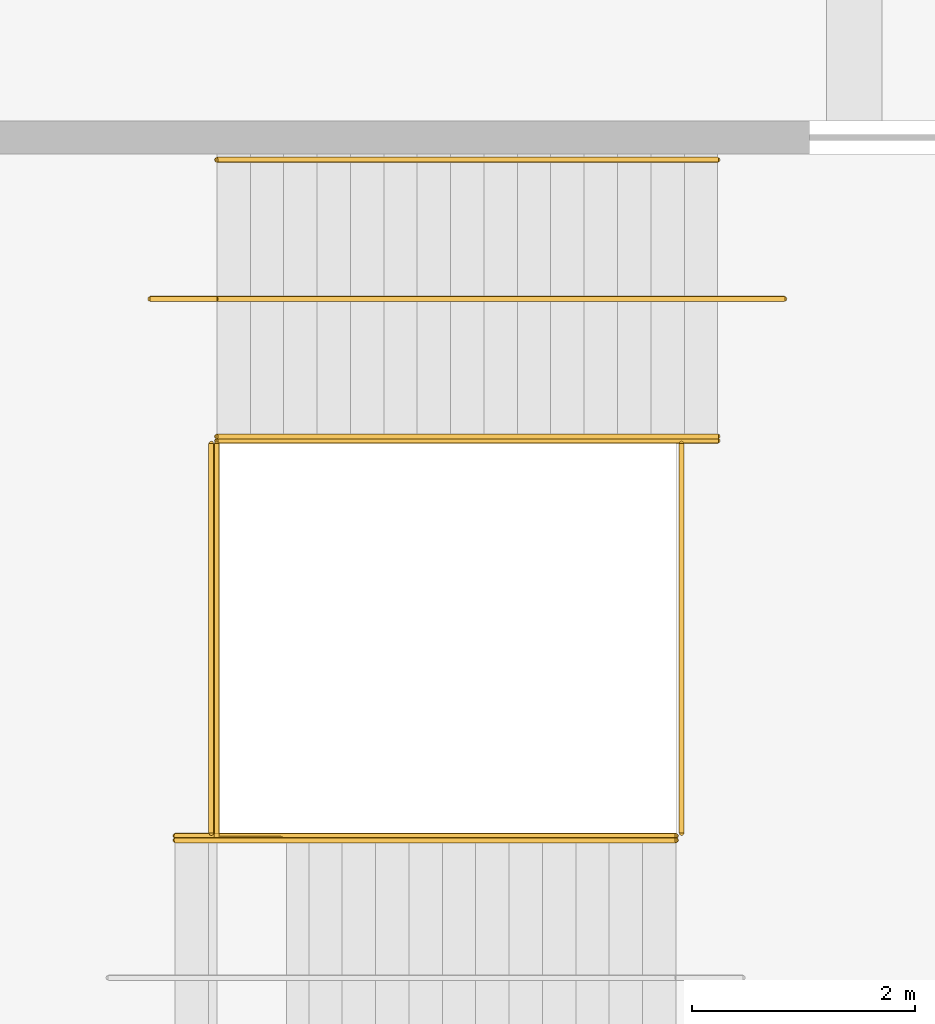
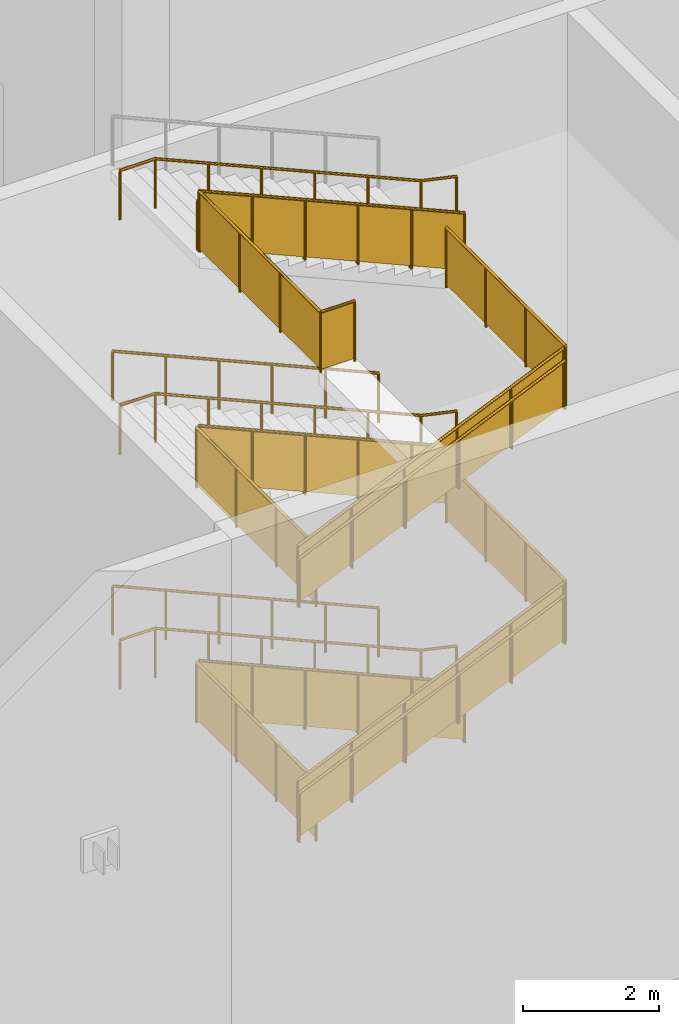
# One storey, part 158 of 182: 20 railings.
"""IFC4 building model written with IfcOpenShell, lengths in metres."""

from ifc_helpers import new_model, si_unit, direction, frame, origin, origin_2d, place, context, subcontext, project, spatial, polyline, circle, outline, extrude, material, type_object, element, save


model = new_model("IFC4")

# Units and contexts
model_context = context("Model", 3, precision=1e-05, world=origin(), true_north=direction((0.0, 1.0)))
body_context = subcontext(model_context, "Body", "Model", "MODEL_VIEW")
ifc_project = project(units=[si_unit("LENGTHUNIT", "METRE"), si_unit("AREAUNIT", "SQUARE_METRE"), si_unit("VOLUMEUNIT", "CUBIC_METRE"), si_unit("PLANEANGLEUNIT", "RADIAN"), si_unit("MASSUNIT", "GRAM", prefix="KILO")], contexts=[model_context])

# Site, building, storey
site_placement = place(None, origin())
site = spatial("IfcSite", under=ifc_project, at=site_placement, CompositionType="ELEMENT")
building_placement = place(site_placement, origin())
building = spatial("IfcBuilding", under=site, at=building_placement, Name="Silverbay Arena", CompositionType="ELEMENT")
storey_placement = place(building_placement, frame((0.0, 0.0, 11.5)))
storey = spatial("IfcBuildingStorey", under=building, at=storey_placement, Name="L02", CompositionType="ELEMENT", Elevation=11.5)

# Railings
ifc_material_1 = material(Name="Stainless steel", Category="steel")
railing_type_1 = type_object("IfcRailingType", Name="Stair guard 1100", PredefinedType="GUARDRAIL", material=ifc_material_1)
railing_1_placement = place(storey_placement, frame((196.774169921875, 24.125, 0.13134765625)))
element("IfcRailing", 1, at=railing_1_placement, inside=storey, type_object=railing_type_1, Name="Stair ST-S6 L02 to L03 flight 1 guard right", PredefinedType="GUARDRAIL", context=body_context, shape_type="SweptSolid", body=[
    extrude(circle(Radius=0.02392578125, at=origin_2d()), frame((0.0, 0.0, 1.076171875), z_axis=(-0.916157334902, 0.0, 0.40081883402), x_axis=(0.0, -1.0, 0.0)), (0.0, 0.0, 1.0), 4.911865234375),
    extrude(outline(polyline([(-0.008056640625, 0.04638671875), (0.907958984375, 0.447265625), (0.907958984375, 1.4501953125), (-0.008056640625, 1.049560546875), (-0.008056640625, 0.04638671875)])), frame((0.0, -0.0029296875, 0.0), z_axis=(0.0, 1.0, 0.0), x_axis=(-1.0, 0.0, 0.0)), (0.0, 0.0, 1.0), 0.006103515625),
    extrude(outline(polyline([(-0.008056640625, 0.440185546875), (0.907958984375, 0.841064453125), (0.907958984375, 1.843994140625), (-0.008056640625, 1.443359375), (-0.008056640625, 0.440185546875)])), frame((-0.89990234375, -0.0029296875, 0.0), z_axis=(0.0, 1.0, 0.0), x_axis=(-1.0, 0.0, 0.0)), (0.0, 0.0, 1.0), 0.006103515625),
    extrude(outline(polyline([(-0.008056640625, 0.833984375), (0.907958984375, 1.23486328125), (0.907958984375, 2.23779296875), (-0.008056640625, 1.8369140625), (-0.008056640625, 0.833984375)])), frame((-1.800048828125, -0.0029296875, 0.0), z_axis=(0.0, 1.0, 0.0), x_axis=(-1.0, 0.0, 0.0)), (0.0, 0.0, 1.0), 0.006103515625),
    extrude(outline(polyline([(-0.008056640625, 1.227783203125), (0.907958984375, 1.62841796875), (0.907958984375, 2.631591796875), (-0.008056640625, 2.230712890625), (-0.008056640625, 1.227783203125)])), frame((-2.699951171875, -0.0029296875, 0.0), z_axis=(0.0, 1.0, 0.0), x_axis=(-1.0, 0.0, 0.0)), (0.0, 0.0, 1.0), 0.006103515625),
    extrude(outline(polyline([(-0.008056640625, 1.62158203125), (0.907958984375, 2.022216796875), (0.907958984375, 3.025146484375), (-0.008056640625, 2.62451171875), (-0.008056640625, 1.62158203125)])), frame((-3.60009765625, -0.0029296875, 0.0), z_axis=(0.0, 1.0, 0.0), x_axis=(-1.0, 0.0, 0.0)), (0.0, 0.0, 1.0), 0.006103515625),
    extrude(circle(Radius=0.02099609375, at=origin_2d()), origin(), (0.0, 0.0, 1.0), 1.052001953125),
    extrude(circle(Radius=0.02099609375, at=origin_2d()), frame((-0.89990234375, 0.0, 0.393798828125)), (0.0, 0.0, 1.0), 1.052001953125),
    extrude(circle(Radius=0.02099609375, at=origin_2d()), frame((-1.800048828125, 0.0, 0.78759765625)), (0.0, 0.0, 1.0), 1.052001953125),
    extrude(circle(Radius=0.02099609375, at=origin_2d()), frame((-2.699951171875, 0.0, 1.18115234375)), (0.0, 0.0, 1.0), 1.052001953125),
    extrude(circle(Radius=0.02099609375, at=origin_2d()), frame((-3.60009765625, 0.0, 1.574951171875)), (0.0, 0.0, 1.0), 1.052001953125),
    extrude(circle(Radius=0.02099609375, at=origin_2d()), frame((-4.5, 0.0, 1.96875)), (0.0, 0.0, 1.0), 1.052001953125),
])
railing_2_placement = place(storey_placement, frame((191.89990234375, 20.574951171875, 2.231201171875)))
element("IfcRailing", 2, at=railing_2_placement, inside=storey, type_object=railing_type_1, Name="Stair ST-S6 L02 to L03 flight 2 guard left", PredefinedType="GUARDRAIL", context=body_context, shape_type="SweptSolid", body=[
    extrude(circle(Radius=0.02392578125, at=origin_2d()), frame((0.0, 0.0, 1.076171875), z_axis=(0.916157334902, 0.0, 0.40081883402), x_axis=(0.0, 1.0, 0.0)), (0.0, 0.0, 1.0), 4.911865234375),
    extrude(outline(polyline([(-0.008056640625, 0.04638671875), (0.907958984375, 0.447265625), (0.907958984375, 1.4501953125), (-0.008056640625, 1.049560546875), (-0.008056640625, 0.04638671875)])), frame((0.0, 0.0029296875, 0.0), z_axis=(0.0, -1.0, 0.0), x_axis=(1.0, 0.0, 0.0)), (0.0, 0.0, 1.0), 0.006103515625),
    extrude(outline(polyline([(-0.008056640625, 0.440185546875), (0.907958984375, 0.841064453125), (0.907958984375, 1.843994140625), (-0.008056640625, 1.443359375), (-0.008056640625, 0.440185546875)])), frame((0.89990234375, 0.0029296875, 0.0), z_axis=(0.0, -1.0, 0.0), x_axis=(1.0, 0.0, 0.0)), (0.0, 0.0, 1.0), 0.006103515625),
    extrude(outline(polyline([(-0.008056640625, 0.833984375), (0.907958984375, 1.23486328125), (0.907958984375, 2.23779296875), (-0.008056640625, 1.8369140625), (-0.008056640625, 0.833984375)])), frame((1.800048828125, 0.0029296875, 0.0), z_axis=(0.0, -1.0, 0.0), x_axis=(1.0, 0.0, 0.0)), (0.0, 0.0, 1.0), 0.006103515625),
    extrude(outline(polyline([(-0.008056640625, 1.227783203125), (0.907958984375, 1.62841796875), (0.907958984375, 2.631591796875), (-0.008056640625, 2.230712890625), (-0.008056640625, 1.227783203125)])), frame((2.699951171875, 0.0029296875, 0.0), z_axis=(0.0, -1.0, 0.0), x_axis=(1.0, 0.0, 0.0)), (0.0, 0.0, 1.0), 0.006103515625),
    extrude(outline(polyline([(-0.008056640625, 1.62158203125), (0.907958984375, 2.022216796875), (0.907958984375, 3.025146484375), (-0.008056640625, 2.62451171875), (-0.008056640625, 1.62158203125)])), frame((3.60009765625, 0.0029296875, 0.0), z_axis=(0.0, -1.0, 0.0), x_axis=(1.0, 0.0, 0.0)), (0.0, 0.0, 1.0), 0.006103515625),
    extrude(circle(Radius=0.02099609375, at=origin_2d()), origin(), (0.0, 0.0, 1.0), 1.052001953125),
    extrude(circle(Radius=0.02099609375, at=origin_2d()), frame((0.89990234375, 0.0, 0.393798828125)), (0.0, 0.0, 1.0), 1.052001953125),
    extrude(circle(Radius=0.02099609375, at=origin_2d()), frame((1.800048828125, 0.0, 0.78759765625)), (0.0, 0.0, 1.0), 1.052001953125),
    extrude(circle(Radius=0.02099609375, at=origin_2d()), frame((2.699951171875, 0.0, 1.18115234375)), (0.0, 0.0, 1.0), 1.052001953125),
    extrude(circle(Radius=0.02099609375, at=origin_2d()), frame((3.60009765625, 0.0, 1.574951171875)), (0.0, 0.0, 1.0), 1.052001953125),
    extrude(circle(Radius=0.02099609375, at=origin_2d()), frame((4.5, 0.0, 1.96875)), (0.0, 0.0, 1.0), 1.052001953125),
])
railing_3_placement = place(storey_placement, frame((196.774169921875, 24.125, 4.331298828125)))
element("IfcRailing", 3, at=railing_3_placement, inside=storey, type_object=railing_type_1, Name="Stair ST-S6 L02 to L03 flight 3 guard right", PredefinedType="GUARDRAIL", context=body_context, shape_type="SweptSolid", body=[
    extrude(circle(Radius=0.02392578125, at=origin_2d()), frame((0.0, 0.0, 1.076171875), z_axis=(-0.916157334902, 0.0, 0.40081883402), x_axis=(0.0, -1.0, 0.0)), (0.0, 0.0, 1.0), 4.911865234375),
    extrude(outline(polyline([(-0.008056640625, 0.04638671875), (0.907958984375, 0.447265625), (0.907958984375, 1.4501953125), (-0.008056640625, 1.049560546875), (-0.008056640625, 0.04638671875)])), frame((0.0, -0.0029296875, 0.0), z_axis=(0.0, 1.0, 0.0), x_axis=(-1.0, 0.0, 0.0)), (0.0, 0.0, 1.0), 0.006103515625),
    extrude(outline(polyline([(-0.008056640625, 0.440185546875), (0.907958984375, 0.841064453125), (0.907958984375, 1.843994140625), (-0.008056640625, 1.443359375), (-0.008056640625, 0.440185546875)])), frame((-0.89990234375, -0.0029296875, 0.0), z_axis=(0.0, 1.0, 0.0), x_axis=(-1.0, 0.0, 0.0)), (0.0, 0.0, 1.0), 0.006103515625),
    extrude(outline(polyline([(-0.008056640625, 0.833984375), (0.907958984375, 1.23486328125), (0.907958984375, 2.23779296875), (-0.008056640625, 1.8369140625), (-0.008056640625, 0.833984375)])), frame((-1.800048828125, -0.0029296875, 0.0), z_axis=(0.0, 1.0, 0.0), x_axis=(-1.0, 0.0, 0.0)), (0.0, 0.0, 1.0), 0.006103515625),
    extrude(outline(polyline([(-0.008056640625, 1.227783203125), (0.907958984375, 1.62841796875), (0.907958984375, 2.631591796875), (-0.008056640625, 2.230712890625), (-0.008056640625, 1.227783203125)])), frame((-2.699951171875, -0.0029296875, 0.0), z_axis=(0.0, 1.0, 0.0), x_axis=(-1.0, 0.0, 0.0)), (0.0, 0.0, 1.0), 0.006103515625),
    extrude(outline(polyline([(-0.008056640625, 1.62158203125), (0.907958984375, 2.022216796875), (0.907958984375, 3.025146484375), (-0.008056640625, 2.62451171875), (-0.008056640625, 1.62158203125)])), frame((-3.60009765625, -0.0029296875, 0.0), z_axis=(0.0, 1.0, 0.0), x_axis=(-1.0, 0.0, 0.0)), (0.0, 0.0, 1.0), 0.006103515625),
    extrude(circle(Radius=0.02099609375, at=origin_2d()), origin(), (0.0, 0.0, 1.0), 1.052001953125),
    extrude(circle(Radius=0.02099609375, at=origin_2d()), frame((-0.89990234375, 0.0, 0.393798828125)), (0.0, 0.0, 1.0), 1.052001953125),
    extrude(circle(Radius=0.02099609375, at=origin_2d()), frame((-1.800048828125, 0.0, 0.78759765625)), (0.0, 0.0, 1.0), 1.052001953125),
    extrude(circle(Radius=0.02099609375, at=origin_2d()), frame((-2.699951171875, 0.0, 1.18115234375)), (0.0, 0.0, 1.0), 1.052001953125),
    extrude(circle(Radius=0.02099609375, at=origin_2d()), frame((-3.60009765625, 0.0, 1.574951171875)), (0.0, 0.0, 1.0), 1.052001953125),
    extrude(circle(Radius=0.02099609375, at=origin_2d()), frame((-4.5, 0.0, 1.96875)), (0.0, 0.0, 1.0), 1.052001953125),
])
railing_4_placement = place(storey_placement, frame((191.89990234375, 20.574951171875, 6.43115234375)))
element("IfcRailing", 4, at=railing_4_placement, inside=storey, type_object=railing_type_1, Name="Stair ST-S6 L02 to L03 flight 4 guard left", PredefinedType="GUARDRAIL", context=body_context, shape_type="SweptSolid", body=[
    extrude(circle(Radius=0.02392578125, at=origin_2d()), frame((0.0, 0.0, 1.076171875), z_axis=(0.916157334902, 0.0, 0.40081883402), x_axis=(0.0, 1.0, 0.0)), (0.0, 0.0, 1.0), 4.911865234375),
    extrude(outline(polyline([(-0.008056640625, 0.04638671875), (0.907958984375, 0.447265625), (0.907958984375, 1.4501953125), (-0.008056640625, 1.049560546875), (-0.008056640625, 0.04638671875)])), frame((0.0, 0.0029296875, 0.0), z_axis=(0.0, -1.0, 0.0), x_axis=(1.0, 0.0, 0.0)), (0.0, 0.0, 1.0), 0.006103515625),
    extrude(outline(polyline([(-0.008056640625, 0.440185546875), (0.907958984375, 0.841064453125), (0.907958984375, 1.843994140625), (-0.008056640625, 1.443359375), (-0.008056640625, 0.440185546875)])), frame((0.89990234375, 0.0029296875, 0.0), z_axis=(0.0, -1.0, 0.0), x_axis=(1.0, 0.0, 0.0)), (0.0, 0.0, 1.0), 0.006103515625),
    extrude(outline(polyline([(-0.008056640625, 0.833984375), (0.907958984375, 1.23486328125), (0.907958984375, 2.23779296875), (-0.008056640625, 1.8369140625), (-0.008056640625, 0.833984375)])), frame((1.800048828125, 0.0029296875, 0.0), z_axis=(0.0, -1.0, 0.0), x_axis=(1.0, 0.0, 0.0)), (0.0, 0.0, 1.0), 0.006103515625),
    extrude(outline(polyline([(-0.008056640625, 1.227783203125), (0.907958984375, 1.62841796875), (0.907958984375, 2.631591796875), (-0.008056640625, 2.230712890625), (-0.008056640625, 1.227783203125)])), frame((2.699951171875, 0.0029296875, 0.0), z_axis=(0.0, -1.0, 0.0), x_axis=(1.0, 0.0, 0.0)), (0.0, 0.0, 1.0), 0.006103515625),
    extrude(outline(polyline([(-0.008056640625, 1.62158203125), (0.907958984375, 2.022216796875), (0.907958984375, 3.025146484375), (-0.008056640625, 2.62451171875), (-0.008056640625, 1.62158203125)])), frame((3.60009765625, 0.0029296875, 0.0), z_axis=(0.0, -1.0, 0.0), x_axis=(1.0, 0.0, 0.0)), (0.0, 0.0, 1.0), 0.006103515625),
    extrude(circle(Radius=0.02099609375, at=origin_2d()), origin(), (0.0, 0.0, 1.0), 1.052001953125),
    extrude(circle(Radius=0.02099609375, at=origin_2d()), frame((0.89990234375, 0.0, 0.393798828125)), (0.0, 0.0, 1.0), 1.052001953125),
    extrude(circle(Radius=0.02099609375, at=origin_2d()), frame((1.800048828125, 0.0, 0.78759765625)), (0.0, 0.0, 1.0), 1.052001953125),
    extrude(circle(Radius=0.02099609375, at=origin_2d()), frame((2.699951171875, 0.0, 1.18115234375)), (0.0, 0.0, 1.0), 1.052001953125),
    extrude(circle(Radius=0.02099609375, at=origin_2d()), frame((3.60009765625, 0.0, 1.574951171875)), (0.0, 0.0, 1.0), 1.052001953125),
    extrude(circle(Radius=0.02099609375, at=origin_2d()), frame((4.5, 0.0, 1.96875)), (0.0, 0.0, 1.0), 1.052001953125),
])
railing_5_placement = place(storey_placement, frame((196.774169921875, 24.125, 8.53125)))
element("IfcRailing", 5, at=railing_5_placement, inside=storey, type_object=railing_type_1, Name="Stair ST-S6 L02 to L03 flight 5 guard right", PredefinedType="GUARDRAIL", context=body_context, shape_type="SweptSolid", body=[
    extrude(circle(Radius=0.02392578125, at=origin_2d()), frame((0.0, 0.0, 1.076171875), z_axis=(-0.916157334902, 0.0, 0.40081883402), x_axis=(0.0, -1.0, 0.0)), (0.0, 0.0, 1.0), 4.911865234375),
    extrude(outline(polyline([(-0.008056640625, 0.04638671875), (0.907958984375, 0.447265625), (0.907958984375, 1.4501953125), (-0.008056640625, 1.049560546875), (-0.008056640625, 0.04638671875)])), frame((0.0, -0.0029296875, 0.0), z_axis=(0.0, 1.0, 0.0), x_axis=(-1.0, 0.0, 0.0)), (0.0, 0.0, 1.0), 0.006103515625),
    extrude(outline(polyline([(-0.008056640625, 0.440185546875), (0.907958984375, 0.841064453125), (0.907958984375, 1.843994140625), (-0.008056640625, 1.443359375), (-0.008056640625, 0.440185546875)])), frame((-0.89990234375, -0.0029296875, 0.0), z_axis=(0.0, 1.0, 0.0), x_axis=(-1.0, 0.0, 0.0)), (0.0, 0.0, 1.0), 0.006103515625),
    extrude(outline(polyline([(-0.008056640625, 0.833984375), (0.907958984375, 1.23486328125), (0.907958984375, 2.23779296875), (-0.008056640625, 1.8369140625), (-0.008056640625, 0.833984375)])), frame((-1.800048828125, -0.0029296875, 0.0), z_axis=(0.0, 1.0, 0.0), x_axis=(-1.0, 0.0, 0.0)), (0.0, 0.0, 1.0), 0.006103515625),
    extrude(outline(polyline([(-0.008056640625, 1.227783203125), (0.907958984375, 1.62841796875), (0.907958984375, 2.631591796875), (-0.008056640625, 2.230712890625), (-0.008056640625, 1.227783203125)])), frame((-2.699951171875, -0.0029296875, 0.0), z_axis=(0.0, 1.0, 0.0), x_axis=(-1.0, 0.0, 0.0)), (0.0, 0.0, 1.0), 0.006103515625),
    extrude(outline(polyline([(-0.008056640625, 1.62158203125), (0.907958984375, 2.022216796875), (0.907958984375, 3.025146484375), (-0.008056640625, 2.62451171875), (-0.008056640625, 1.62158203125)])), frame((-3.60009765625, -0.0029296875, 0.0), z_axis=(0.0, 1.0, 0.0), x_axis=(-1.0, 0.0, 0.0)), (0.0, 0.0, 1.0), 0.006103515625),
    extrude(circle(Radius=0.02099609375, at=origin_2d()), origin(), (0.0, 0.0, 1.0), 1.052001953125),
    extrude(circle(Radius=0.02099609375, at=origin_2d()), frame((-0.89990234375, 0.0, 0.393798828125)), (0.0, 0.0, 1.0), 1.052001953125),
    extrude(circle(Radius=0.02099609375, at=origin_2d()), frame((-1.800048828125, 0.0, 0.78759765625)), (0.0, 0.0, 1.0), 1.052001953125),
    extrude(circle(Radius=0.02099609375, at=origin_2d()), frame((-2.699951171875, 0.0, 1.18115234375)), (0.0, 0.0, 1.0), 1.052001953125),
    extrude(circle(Radius=0.02099609375, at=origin_2d()), frame((-3.60009765625, 0.0, 1.574951171875)), (0.0, 0.0, 1.0), 1.052001953125),
    extrude(circle(Radius=0.02099609375, at=origin_2d()), frame((-4.5, 0.0, 1.96875)), (0.0, 0.0, 1.0), 1.052001953125),
])
for number, where, name in (
    (6, (192.22412109375, 24.10009765625, 2.10009765625), "Stair ST-S6 L02 to L03 landing 1 guard"),
    (7, (196.449951171875, 24.10009765625, 4.199951171875), "Stair ST-S6 L02 to L03 landing 2 guard"),
    (8, (192.22412109375, 24.10009765625, 6.300048828125), "Stair ST-S6 L02 to L03 landing 3 guard"),
    (9, (196.449951171875, 24.10009765625, 8.39990234375), "Stair ST-S6 L02 to L03 landing 4 guard"),
):
    element("IfcRailing", number, at=place(storey_placement, frame(where)), inside=storey, type_object=railing_type_1, Name=name, PredefinedType="GUARDRAIL", context=body_context, shape_type="SweptSolid", body=[
        extrude(circle(Radius=0.02392578125, at=origin_2d()), frame((0.0, 0.0, 1.076171875), z_axis=(0.0, -1.0, 0.0), x_axis=(1.0, 0.0, 0.0)), (0.0, 0.0, 1.0), 3.5),
        extrude(outline(polyline([(-0.008056640625, 0.050048828125), (1.174560546875, 0.050048828125), (1.174560546875, 1.052978515625), (-0.008056640625, 1.052978515625), (-0.008056640625, 0.050048828125)])), frame((0.0029296875, 0.0, 0.0), z_axis=(-1.0, 0.0, 0.0), x_axis=(0.0, -1.0, 0.0)), (0.0, 0.0, 1.0), 0.006103515625),
        extrude(outline(polyline([(-0.008056640625, 0.050048828125), (1.174560546875, 0.050048828125), (1.174560546875, 1.052978515625), (-0.008056640625, 1.052978515625), (-0.008056640625, 0.050048828125)])), frame((0.0029296875, -1.166748046875, 0.0), z_axis=(-1.0, 0.0, 0.0), x_axis=(0.0, -1.0, 0.0)), (0.0, 0.0, 1.0), 0.006103515625),
        extrude(outline(polyline([(-0.008056640625, 0.050048828125), (1.174560546875, 0.050048828125), (1.174560546875, 1.052978515625), (-0.008056640625, 1.052978515625), (-0.008056640625, 0.050048828125)])), frame((0.0029296875, -2.333251953125, 0.0), z_axis=(-1.0, 0.0, 0.0), x_axis=(0.0, -1.0, 0.0)), (0.0, 0.0, 1.0), 0.006103515625),
        extrude(circle(Radius=0.02099609375, at=origin_2d()), origin(), (0.0, 0.0, 1.0), 1.052001953125),
        extrude(circle(Radius=0.02099609375, at=origin_2d()), frame((0.0, -1.166748046875, 0.0)), (0.0, 0.0, 1.0), 1.052001953125),
        extrude(circle(Radius=0.02099609375, at=origin_2d()), frame((0.0, -2.333251953125, 0.0)), (0.0, 0.0, 1.0), 1.052001953125),
        extrude(circle(Radius=0.02099609375, at=origin_2d()), frame((0.0, -3.5, 0.0)), (0.0, 0.0, 1.0), 1.052001953125),
    ])
railing_6_placement = place(storey_placement, frame((192.85009765625, 20.550048828125, 10.5)))
element("IfcRailing", 10, at=railing_6_placement, inside=storey, type_object=railing_type_1, Name="Stair ST-S6 L02 to L03 landing 5 guard", PredefinedType="GUARDRAIL", context=body_context, shape_type="SweptSolid", body=[
    extrude(circle(Radius=0.02392578125, at=origin_2d()), frame((0.0, 0.0, 1.076171875), z_axis=(-1.0, 0.0, 0.0), x_axis=(0.0, -1.0, 0.0)), (0.0, 0.0, 1.0), 0.575927734375),
    extrude(outline(polyline([(-0.008056640625, 0.050048828125), (0.583984375, 0.050048828125), (0.583984375, 1.052978515625), (-0.008056640625, 1.052978515625), (-0.008056640625, 0.050048828125)])), frame((0.0, -0.0029296875, 0.0), z_axis=(0.0, 1.0, 0.0), x_axis=(-1.0, 0.0, 0.0)), (0.0, 0.0, 1.0), 0.006103515625),
    extrude(circle(Radius=0.02392578125, at=origin_2d()), frame((-0.575927734375, 0.0, 1.076171875), z_axis=(0.0, 1.0, 0.0), x_axis=(-1.0, 0.0, 0.0)), (0.0, 0.0, 1.0), 3.550048828125),
    extrude(outline(polyline([(-0.008056640625, 0.050048828125), (1.19140625, 0.050048828125), (1.19140625, 1.052978515625), (-0.008056640625, 1.052978515625), (-0.008056640625, 0.050048828125)])), frame((-0.578857421875, 0.0, 0.0), z_axis=(1.0, 0.0, 0.0), x_axis=(0.0, 1.0, 0.0)), (0.0, 0.0, 1.0), 0.006103515625),
    extrude(outline(polyline([(-0.008056640625, 0.050048828125), (1.19140625, 0.050048828125), (1.19140625, 1.052978515625), (-0.008056640625, 1.052978515625), (-0.008056640625, 0.050048828125)])), frame((-0.578857421875, 1.183349609375, 0.0), z_axis=(1.0, 0.0, 0.0), x_axis=(0.0, 1.0, 0.0)), (0.0, 0.0, 1.0), 0.006103515625),
    extrude(outline(polyline([(-0.008056640625, 0.050048828125), (1.19140625, 0.050048828125), (1.19140625, 1.052978515625), (-0.008056640625, 1.052978515625), (-0.008056640625, 0.050048828125)])), frame((-0.578857421875, 2.36669921875, 0.0), z_axis=(1.0, 0.0, 0.0), x_axis=(0.0, 1.0, 0.0)), (0.0, 0.0, 1.0), 0.006103515625),
    extrude(circle(Radius=0.02099609375, at=origin_2d()), origin(), (0.0, 0.0, 1.0), 1.052001953125),
    extrude(circle(Radius=0.02099609375, at=origin_2d()), frame((-0.575927734375, 0.0, 0.0)), (0.0, 0.0, 1.0), 1.052001953125),
    extrude(circle(Radius=0.02099609375, at=origin_2d()), frame((-0.575927734375, 1.183349609375, 0.0)), (0.0, 0.0, 1.0), 1.052001953125),
    extrude(circle(Radius=0.02099609375, at=origin_2d()), frame((-0.575927734375, 2.36669921875, 0.0)), (0.0, 0.0, 1.0), 1.052001953125),
    extrude(circle(Radius=0.02099609375, at=origin_2d()), frame((-0.575927734375, 3.550048828125, 0.0)), (0.0, 0.0, 1.0), 1.052001953125),
])
ifc_material_2 = material(Name="Stainless steel", Category="steel")
railing_type_2 = type_object("IfcRailingType", Name="Stair handrail 900", PredefinedType="HANDRAIL", material=ifc_material_2)
for number, where, name in (
    (11, (196.774169921875, 26.64990234375, 0.13134765625), "Stair ST-S6 L02 to L03 flight 1 handrail left"),
    (12, (196.774169921875, 24.1640625, 0.13134765625), "Stair ST-S6 L02 to L03 flight 1 handrail right"),
):
    element("IfcRailing", number, at=place(storey_placement, frame(where)), inside=storey, type_object=railing_type_2, Name=name, PredefinedType="HANDRAIL", context=body_context, shape_type="SweptSolid", body=[
        extrude(circle(Radius=0.02392578125, at=origin_2d()), frame((0.0, 0.0, 0.8759765625), z_axis=(-0.916157334902, 0.0, 0.40081883402), x_axis=(0.0, -1.0, 0.0)), (0.0, 0.0, 1.0), 4.911865234375),
        extrude(circle(Radius=0.02099609375, at=origin_2d()), origin(), (0.0, 0.0, 1.0), 0.851806640625),
        extrude(circle(Radius=0.02099609375, at=origin_2d()), frame((-0.89990234375, 0.0, 0.393798828125)), (0.0, 0.0, 1.0), 0.851806640625),
        extrude(circle(Radius=0.02099609375, at=origin_2d()), frame((-1.800048828125, 0.0, 0.78759765625)), (0.0, 0.0, 1.0), 0.851806640625),
        extrude(circle(Radius=0.02099609375, at=origin_2d()), frame((-2.699951171875, 0.0, 1.18115234375)), (0.0, 0.0, 1.0), 0.851806640625),
        extrude(circle(Radius=0.02099609375, at=origin_2d()), frame((-3.60009765625, 0.0, 1.574951171875)), (0.0, 0.0, 1.0), 0.851806640625),
        extrude(circle(Radius=0.02099609375, at=origin_2d()), frame((-4.5, 0.0, 1.96875)), (0.0, 0.0, 1.0), 0.851806640625),
    ])
railing_7_placement = place(storey_placement, frame((197.374267578125, 25.39990234375, 0.0)))
element("IfcRailing", 13, at=railing_7_placement, inside=storey, type_object=railing_type_2, Name="Stair ST-S6 L02 to L03 flight 1 central handrail", PredefinedType="HANDRAIL", context=body_context, shape_type="SweptSolid", body=[
    extrude(circle(Radius=0.02392578125, at=origin_2d()), frame((0.0, 0.0, 0.8759765625), z_axis=(-0.976874083041, 0.0, 0.213815401414), x_axis=(0.0, -1.0, 0.0)), (0.0, 0.0, 1.0), 0.6142578125),
    extrude(circle(Radius=0.02392578125, at=origin_2d()), frame((-0.60009765625, 0.0, 1.00732421875), z_axis=(-0.916157334902, 0.0, 0.40081883402), x_axis=(0.0, -1.0, 0.0)), (0.0, 0.0, 1.0), 4.911865234375),
    extrude(circle(Radius=0.02392578125, at=origin_2d()), frame((-5.10009765625, 0.0, 2.97607421875), z_axis=(-1.0, 0.0, 0.0), x_axis=(0.0, -1.0, 0.0)), (0.0, 0.0, 1.0), 0.599853515625),
    extrude(circle(Radius=0.02099609375, at=origin_2d()), origin(), (0.0, 0.0, 1.0), 0.851806640625),
    extrude(circle(Radius=0.02099609375, at=origin_2d()), frame((-0.60009765625, 0.0, 0.13134765625)), (0.0, 0.0, 1.0), 0.851806640625),
    extrude(circle(Radius=0.02099609375, at=origin_2d()), frame((-1.5, 0.0, 0.525146484375)), (0.0, 0.0, 1.0), 0.851806640625),
    extrude(circle(Radius=0.02099609375, at=origin_2d()), frame((-2.400146484375, 0.0, 0.9189453125)), (0.0, 0.0, 1.0), 0.851806640625),
    extrude(circle(Radius=0.02099609375, at=origin_2d()), frame((-3.300048828125, 0.0, 1.3125)), (0.0, 0.0, 1.0), 0.851806640625),
    extrude(circle(Radius=0.02099609375, at=origin_2d()), frame((-4.2001953125, 0.0, 1.706298828125)), (0.0, 0.0, 1.0), 0.851806640625),
    extrude(circle(Radius=0.02099609375, at=origin_2d()), frame((-5.10009765625, 0.0, 2.10009765625)), (0.0, 0.0, 1.0), 0.851806640625),
    extrude(circle(Radius=0.02099609375, at=origin_2d()), frame((-5.699951171875, 0.0, 2.10009765625)), (0.0, 0.0, 1.0), 0.851806640625),
])
railing_8_placement = place(storey_placement, frame((191.89990234375, 20.535888671875, 2.231201171875)))
element("IfcRailing", 14, at=railing_8_placement, inside=storey, type_object=railing_type_2, Name="Stair ST-S6 L02 to L03 flight 2 handrail left", PredefinedType="HANDRAIL", context=body_context, shape_type="SweptSolid", body=[
    extrude(circle(Radius=0.02392578125, at=origin_2d()), frame((0.0, 0.0, 0.8759765625), z_axis=(0.916157334902, 0.0, 0.40081883402), x_axis=(0.0, 1.0, 0.0)), (0.0, 0.0, 1.0), 4.911865234375),
    extrude(circle(Radius=0.02099609375, at=origin_2d()), origin(), (0.0, 0.0, 1.0), 0.851806640625),
    extrude(circle(Radius=0.02099609375, at=origin_2d()), frame((0.89990234375, 0.0, 0.393798828125)), (0.0, 0.0, 1.0), 0.851806640625),
    extrude(circle(Radius=0.02099609375, at=origin_2d()), frame((1.800048828125, 0.0, 0.78759765625)), (0.0, 0.0, 1.0), 0.851806640625),
    extrude(circle(Radius=0.02099609375, at=origin_2d()), frame((2.699951171875, 0.0, 1.18115234375)), (0.0, 0.0, 1.0), 0.851806640625),
    extrude(circle(Radius=0.02099609375, at=origin_2d()), frame((3.60009765625, 0.0, 1.574951171875)), (0.0, 0.0, 1.0), 0.851806640625),
    extrude(circle(Radius=0.02099609375, at=origin_2d()), frame((4.5, 0.0, 1.96875)), (0.0, 0.0, 1.0), 0.851806640625),
])
for number, where, name in (
    (15, (196.774169921875, 26.64990234375, 4.331298828125), "Stair ST-S6 L02 to L03 flight 3 handrail left"),
    (16, (196.774169921875, 24.1640625, 4.331298828125), "Stair ST-S6 L02 to L03 flight 3 handrail right"),
):
    element("IfcRailing", number, at=place(storey_placement, frame(where)), inside=storey, type_object=railing_type_2, Name=name, PredefinedType="HANDRAIL", context=body_context, shape_type="SweptSolid", body=[
        extrude(circle(Radius=0.02392578125, at=origin_2d()), frame((0.0, 0.0, 0.8759765625), z_axis=(-0.916157334902, 0.0, 0.40081883402), x_axis=(0.0, -1.0, 0.0)), (0.0, 0.0, 1.0), 4.911865234375),
        extrude(circle(Radius=0.02099609375, at=origin_2d()), origin(), (0.0, 0.0, 1.0), 0.851806640625),
        extrude(circle(Radius=0.02099609375, at=origin_2d()), frame((-0.89990234375, 0.0, 0.393798828125)), (0.0, 0.0, 1.0), 0.851806640625),
        extrude(circle(Radius=0.02099609375, at=origin_2d()), frame((-1.800048828125, 0.0, 0.78759765625)), (0.0, 0.0, 1.0), 0.851806640625),
        extrude(circle(Radius=0.02099609375, at=origin_2d()), frame((-2.699951171875, 0.0, 1.18115234375)), (0.0, 0.0, 1.0), 0.851806640625),
        extrude(circle(Radius=0.02099609375, at=origin_2d()), frame((-3.60009765625, 0.0, 1.574951171875)), (0.0, 0.0, 1.0), 0.851806640625),
        extrude(circle(Radius=0.02099609375, at=origin_2d()), frame((-4.5, 0.0, 1.96875)), (0.0, 0.0, 1.0), 0.851806640625),
    ])
railing_9_placement = place(storey_placement, frame((197.374267578125, 25.39990234375, 4.199951171875)))
element("IfcRailing", 17, at=railing_9_placement, inside=storey, type_object=railing_type_2, Name="Stair ST-S6 L02 to L03 flight 3 central handrail", PredefinedType="HANDRAIL", context=body_context, shape_type="SweptSolid", body=[
    extrude(circle(Radius=0.02392578125, at=origin_2d()), frame((0.0, 0.0, 0.8759765625), z_axis=(-0.976874083041, 0.0, 0.213815401414), x_axis=(0.0, -1.0, 0.0)), (0.0, 0.0, 1.0), 0.6142578125),
    extrude(circle(Radius=0.02392578125, at=origin_2d()), frame((-0.60009765625, 0.0, 1.00732421875), z_axis=(-0.916157334902, 0.0, 0.40081883402), x_axis=(0.0, -1.0, 0.0)), (0.0, 0.0, 1.0), 4.911865234375),
    extrude(circle(Radius=0.02392578125, at=origin_2d()), frame((-5.10009765625, 0.0, 2.97607421875), z_axis=(-1.0, 0.0, 0.0), x_axis=(0.0, -1.0, 0.0)), (0.0, 0.0, 1.0), 0.599853515625),
    extrude(circle(Radius=0.02099609375, at=origin_2d()), origin(), (0.0, 0.0, 1.0), 0.851806640625),
    extrude(circle(Radius=0.02099609375, at=origin_2d()), frame((-0.60009765625, 0.0, 0.13134765625)), (0.0, 0.0, 1.0), 0.851806640625),
    extrude(circle(Radius=0.02099609375, at=origin_2d()), frame((-1.5, 0.0, 0.525146484375)), (0.0, 0.0, 1.0), 0.851806640625),
    extrude(circle(Radius=0.02099609375, at=origin_2d()), frame((-2.400146484375, 0.0, 0.9189453125)), (0.0, 0.0, 1.0), 0.851806640625),
    extrude(circle(Radius=0.02099609375, at=origin_2d()), frame((-3.300048828125, 0.0, 1.3125)), (0.0, 0.0, 1.0), 0.851806640625),
    extrude(circle(Radius=0.02099609375, at=origin_2d()), frame((-4.2001953125, 0.0, 1.706298828125)), (0.0, 0.0, 1.0), 0.851806640625),
    extrude(circle(Radius=0.02099609375, at=origin_2d()), frame((-5.10009765625, 0.0, 2.10009765625)), (0.0, 0.0, 1.0), 0.851806640625),
    extrude(circle(Radius=0.02099609375, at=origin_2d()), frame((-5.699951171875, 0.0, 2.10009765625)), (0.0, 0.0, 1.0), 0.851806640625),
])
railing_10_placement = place(storey_placement, frame((191.89990234375, 20.535888671875, 6.43115234375)))
element("IfcRailing", 18, at=railing_10_placement, inside=storey, type_object=railing_type_2, Name="Stair ST-S6 L02 to L03 flight 4 handrail left", PredefinedType="HANDRAIL", context=body_context, shape_type="SweptSolid", body=[
    extrude(circle(Radius=0.02392578125, at=origin_2d()), frame((0.0, 0.0, 0.8759765625), z_axis=(0.916157334902, 0.0, 0.40081883402), x_axis=(0.0, 1.0, 0.0)), (0.0, 0.0, 1.0), 4.911865234375),
    extrude(circle(Radius=0.02099609375, at=origin_2d()), origin(), (0.0, 0.0, 1.0), 0.851806640625),
    extrude(circle(Radius=0.02099609375, at=origin_2d()), frame((0.89990234375, 0.0, 0.393798828125)), (0.0, 0.0, 1.0), 0.851806640625),
    extrude(circle(Radius=0.02099609375, at=origin_2d()), frame((1.800048828125, 0.0, 0.78759765625)), (0.0, 0.0, 1.0), 0.851806640625),
    extrude(circle(Radius=0.02099609375, at=origin_2d()), frame((2.699951171875, 0.0, 1.18115234375)), (0.0, 0.0, 1.0), 0.851806640625),
    extrude(circle(Radius=0.02099609375, at=origin_2d()), frame((3.60009765625, 0.0, 1.574951171875)), (0.0, 0.0, 1.0), 0.851806640625),
    extrude(circle(Radius=0.02099609375, at=origin_2d()), frame((4.5, 0.0, 1.96875)), (0.0, 0.0, 1.0), 0.851806640625),
])
railing_11_placement = place(storey_placement, frame((196.774169921875, 24.1640625, 8.53125)))
element("IfcRailing", 19, at=railing_11_placement, inside=storey, type_object=railing_type_2, Name="Stair ST-S6 L02 to L03 flight 5 handrail right", PredefinedType="HANDRAIL", context=body_context, shape_type="SweptSolid", body=[
    extrude(circle(Radius=0.02392578125, at=origin_2d()), frame((0.0, 0.0, 0.8759765625), z_axis=(-0.916157334902, 0.0, 0.40081883402), x_axis=(0.0, -1.0, 0.0)), (0.0, 0.0, 1.0), 4.911865234375),
    extrude(circle(Radius=0.02099609375, at=origin_2d()), origin(), (0.0, 0.0, 1.0), 0.851806640625),
    extrude(circle(Radius=0.02099609375, at=origin_2d()), frame((-0.89990234375, 0.0, 0.393798828125)), (0.0, 0.0, 1.0), 0.851806640625),
    extrude(circle(Radius=0.02099609375, at=origin_2d()), frame((-1.800048828125, 0.0, 0.78759765625)), (0.0, 0.0, 1.0), 0.851806640625),
    extrude(circle(Radius=0.02099609375, at=origin_2d()), frame((-2.699951171875, 0.0, 1.18115234375)), (0.0, 0.0, 1.0), 0.851806640625),
    extrude(circle(Radius=0.02099609375, at=origin_2d()), frame((-3.60009765625, 0.0, 1.574951171875)), (0.0, 0.0, 1.0), 0.851806640625),
    extrude(circle(Radius=0.02099609375, at=origin_2d()), frame((-4.5, 0.0, 1.96875)), (0.0, 0.0, 1.0), 0.851806640625),
])
railing_12_placement = place(storey_placement, frame((197.374267578125, 25.39990234375, 8.39990234375)))
element("IfcRailing", 20, at=railing_12_placement, inside=storey, type_object=railing_type_2, Name="Stair ST-S6 L02 to L03 flight 5 central handrail", PredefinedType="HANDRAIL", context=body_context, shape_type="SweptSolid", body=[
    extrude(circle(Radius=0.02392578125, at=origin_2d()), frame((0.0, 0.0, 0.8759765625), z_axis=(-0.976874083041, 0.0, 0.213815401414), x_axis=(0.0, -1.0, 0.0)), (0.0, 0.0, 1.0), 0.6142578125),
    extrude(circle(Radius=0.02392578125, at=origin_2d()), frame((-0.60009765625, 0.0, 1.00732421875), z_axis=(-0.916157334902, 0.0, 0.40081883402), x_axis=(0.0, -1.0, 0.0)), (0.0, 0.0, 1.0), 4.911865234375),
    extrude(circle(Radius=0.02392578125, at=origin_2d()), frame((-5.10009765625, 0.0, 2.97607421875), z_axis=(-1.0, 0.0, 0.0), x_axis=(0.0, -1.0, 0.0)), (0.0, 0.0, 1.0), 0.599853515625),
    extrude(circle(Radius=0.02099609375, at=origin_2d()), origin(), (0.0, 0.0, 1.0), 0.851806640625),
    extrude(circle(Radius=0.02099609375, at=origin_2d()), frame((-0.60009765625, 0.0, 0.13134765625)), (0.0, 0.0, 1.0), 0.851806640625),
    extrude(circle(Radius=0.02099609375, at=origin_2d()), frame((-1.5, 0.0, 0.525146484375)), (0.0, 0.0, 1.0), 0.851806640625),
    extrude(circle(Radius=0.02099609375, at=origin_2d()), frame((-2.400146484375, 0.0, 0.9189453125)), (0.0, 0.0, 1.0), 0.851806640625),
    extrude(circle(Radius=0.02099609375, at=origin_2d()), frame((-3.300048828125, 0.0, 1.3125)), (0.0, 0.0, 1.0), 0.851806640625),
    extrude(circle(Radius=0.02099609375, at=origin_2d()), frame((-4.2001953125, 0.0, 1.706298828125)), (0.0, 0.0, 1.0), 0.851806640625),
    extrude(circle(Radius=0.02099609375, at=origin_2d()), frame((-5.10009765625, 0.0, 2.10009765625)), (0.0, 0.0, 1.0), 0.851806640625),
    extrude(circle(Radius=0.02099609375, at=origin_2d()), frame((-5.699951171875, 0.0, 2.10009765625)), (0.0, 0.0, 1.0), 0.851806640625),
])

save(model, "model.ifc")
